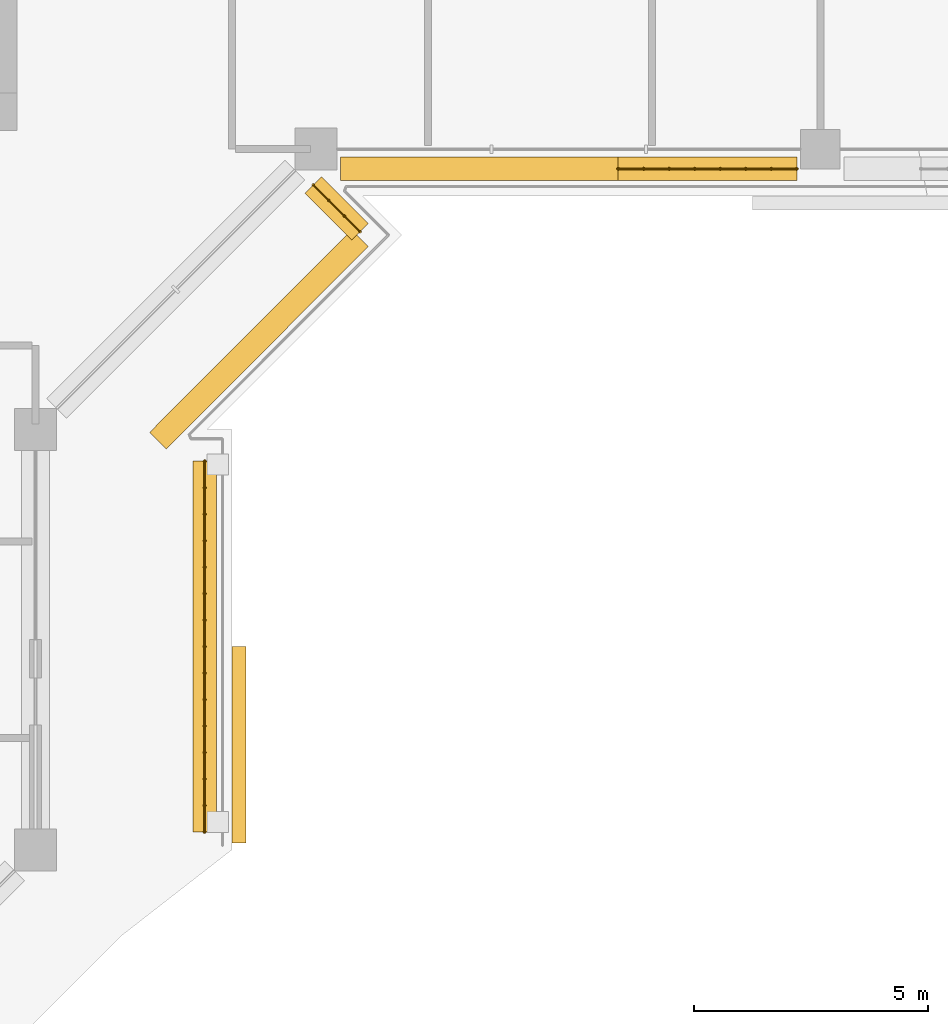
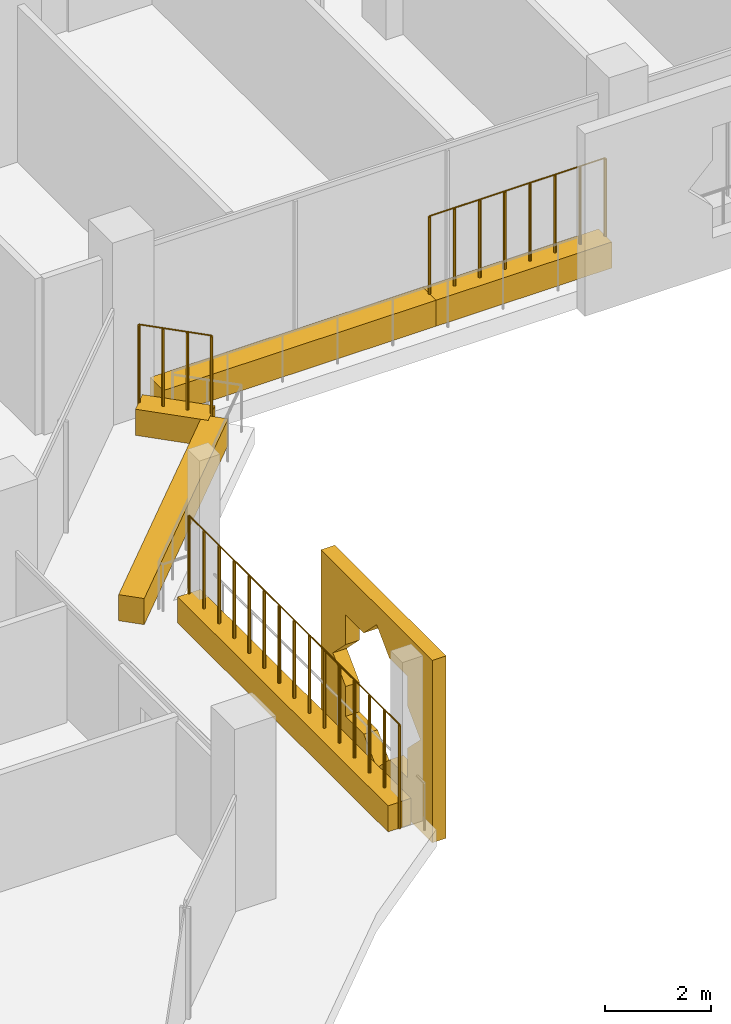
# One storey, part 17 of 22: 6 coverings, 3 railings.
"""IFC4 building model written with IfcOpenShell, lengths in metres."""

from ifc_helpers import new_model, si_unit, direction, frame, origin, origin_2d, place, context, subcontext, project, spatial, polyline, rectangle, circle, outline, extrude, material, material_profile, profile_set, type_object, element, save


model = new_model("IFC4")

# Units and contexts
model_context = context("Model", 3, precision=1e-05, world=origin(), true_north=direction((0.0, 1.0)))
body_context = subcontext(model_context, "Body", "Model", "MODEL_VIEW")
ifc_project = project(units=[si_unit("LENGTHUNIT", "METRE"), si_unit("AREAUNIT", "SQUARE_METRE"), si_unit("VOLUMEUNIT", "CUBIC_METRE"), si_unit("PLANEANGLEUNIT", "RADIAN"), si_unit("MASSUNIT", "GRAM", prefix="KILO")], contexts=[model_context])

# Site, building, storey
site_placement = place(None, origin())
site = spatial("IfcSite", under=ifc_project, at=site_placement, CompositionType="ELEMENT")
building_placement = place(site_placement, origin())
building = spatial("IfcBuilding", under=site, at=building_placement, Name="Kawkab Arch Medical Tower", CompositionType="ELEMENT")
storey_placement = place(building_placement, frame((0.0, 0.0, 251.60009765625)))
storey = spatial("IfcBuildingStorey", under=building, at=storey_placement, Name="L58", CompositionType="ELEMENT", Elevation=251.60009765625)

# Coverings
ifc_material_1 = material(Name="Bronze anodised aluminium mashrabiya panel, eight-point star pattern", Category="aluminium")
ifc_material_profile_1 = material_profile(ifc_material_1, outline(polyline([(-2.10009765625, -2.10009765625), (2.10009765625, -2.10009765625), (2.10009765625, 2.10009765625), (-2.10009765625, 2.10009765625), (-2.10009765625, -2.10009765625)]), holes=[polyline([(1.64990234375, 0.0), (1.166748046875, 0.4833984375), (1.166748046875, 1.166748046875), (0.4833984375, 1.166748046875), (0.0, 1.64990234375), (-0.4833984375, 1.166748046875), (-1.166748046875, 1.166748046875), (-1.166748046875, 0.4833984375), (-1.64990234375, 0.0), (-1.166748046875, -0.4833984375), (-1.166748046875, -1.166748046875), (-0.4833984375, -1.166748046875), (0.0, -1.64990234375), (0.4833984375, -1.166748046875), (1.166748046875, -1.166748046875), (1.166748046875, -0.4833984375), (1.64990234375, 0.0)])]), Name="Mashrabiya panel 4200x4200")
ifc_profile_set_1 = profile_set([ifc_material_profile_1], Name="Bronze anodised aluminium mashrabiya panel, eight-point star pattern")
covering_type_1 = type_object("IfcCoveringType", Name="Mashrabiya panel 4200 x 4200", PredefinedType="USERDEFINED", material=ifc_profile_set_1)
covering_1_placement = place(storey_placement, frame((29.39990234375, -37.94873046875, 1.699951171875), z_axis=(1.0, 0.0, 0.0), x_axis=(0.0, 1.0, 0.0)))
element("IfcCovering", 1, at=covering_1_placement, inside=storey, type_object=covering_type_1, Name="Mashrabiya panel L58.LOG-01-01.11", ObjectType="SCREEN", PredefinedType="USERDEFINED", context=body_context, shape_type="SweptSolid", body=[
    extrude(outline(polyline([(-2.10009765625, -2.10009765625), (2.10009765625, -2.10009765625), (2.10009765625, 2.10009765625), (-2.10009765625, 2.10009765625), (-2.10009765625, -2.10009765625)]), holes=[polyline([(1.64990234375, 0.0), (1.166748046875, 0.4833984375), (1.166748046875, 1.166748046875), (0.4833984375, 1.166748046875), (0.0, 1.64990234375), (-0.4833984375, 1.166748046875), (-1.166748046875, 1.166748046875), (-1.166748046875, 0.4833984375), (-1.64990234375, 0.0), (-1.166748046875, -0.4833984375), (-1.166748046875, -1.166748046875), (-0.4833984375, -1.166748046875), (0.0, -1.64990234375), (0.4833984375, -1.166748046875), (1.166748046875, -1.166748046875), (1.166748046875, -0.4833984375), (1.64990234375, 0.0)])]), origin(), (0.0, 0.0, 1.0), 0.300048828125),
])
ifc_material_2 = material(Name="Planting soil in a precast trough", Category="concrete")
ifc_material_profile_2 = material_profile(ifc_material_2, rectangle(XDim=0.5, YDim=0.60009765625, at=origin_2d()), Name="Trough 500x600")
ifc_profile_set_2 = profile_set([ifc_material_profile_2], Name="Planting soil in a precast trough")
covering_type_2 = type_object("IfcCoveringType", Name="Planter trough 500 x 600", PredefinedType="USERDEFINED", material=ifc_profile_set_2)
covering_2_placement = place(storey_placement, frame((41.4951171875, -25.6201171875, 0.2998046875), z_axis=(-1.0, 0.0, 0.0), x_axis=(0.0, -1.0, 0.0)))
element("IfcCovering", 2, at=covering_2_placement, inside=storey, type_object=covering_type_2, Name="Planter L58.LOG-01-01.35", ObjectType="PLANTER", PredefinedType="USERDEFINED", context=body_context, shape_type="SweptSolid", body=[
    extrude(rectangle(XDim=0.5, YDim=0.60009765625, at=origin_2d()), origin(), (0.0, 0.0, 1.0), 3.8251953125),
])
covering_3_placement = place(storey_placement, frame((37.669921875, -25.6201171875, 0.2998046875), z_axis=(-1.0, 0.0, 0.0), x_axis=(0.0, -1.0, 0.0)))
element("IfcCovering", 3, at=covering_3_placement, inside=storey, type_object=covering_type_2, Name="Planter L58.LOG-01-01.36", ObjectType="PLANTER", PredefinedType="USERDEFINED", context=body_context, shape_type="SweptSolid", body=[
    extrude(rectangle(XDim=0.5, YDim=0.60009765625, at=origin_2d()), origin(), (0.0, 0.0, 1.0), 5.93994140625),
])
covering_4_placement = place(storey_placement, frame((31.14306640625, -25.962890625, 0.2998046875), z_axis=(0.707020805532, -0.707192746389, 0.0), x_axis=(0.707192746389, 0.707020805532, 0.0)))
element("IfcCovering", 4, at=covering_4_placement, inside=storey, type_object=covering_type_2, Name="Planter L58.LOG-01-01.37", ObjectType="PLANTER", PredefinedType="USERDEFINED", context=body_context, shape_type="SweptSolid", body=[
    extrude(rectangle(XDim=0.5, YDim=0.60009765625, at=origin_2d()), origin(), (0.0, 0.0, 1.0), 1.419921875),
])
covering_5_placement = place(storey_placement, frame((32.14697265625, -27.10888671875, 0.2998046875), z_axis=(-0.707007043994, -0.707206504313, 0.0), x_axis=(0.707206504313, -0.707007043994, 0.0)))
element("IfcCovering", 5, at=covering_5_placement, inside=storey, type_object=covering_type_2, Name="Planter L58.LOG-01-01.38", ObjectType="PLANTER", PredefinedType="USERDEFINED", context=body_context, shape_type="SweptSolid", body=[
    extrude(rectangle(XDim=0.5, YDim=0.60009765625, at=origin_2d()), origin(), (0.0, 0.0, 1.0), 6.1201171875),
])
covering_6_placement = place(storey_placement, frame((28.820068359375, -31.8798828125, 0.2998046875), z_axis=(0.0, -1.0, 0.0), x_axis=(1.0, 0.0, 0.0)))
element("IfcCovering", 6, at=covering_6_placement, inside=storey, type_object=covering_type_2, Name="Planter L58.LOG-01-01.39", ObjectType="PLANTER", PredefinedType="USERDEFINED", context=body_context, shape_type="SweptSolid", body=[
    extrude(rectangle(XDim=0.5, YDim=0.60009765625, at=origin_2d()), origin(), (0.0, 0.0, 1.0), 7.93603515625),
])

# Railings
ifc_material_3 = material(Name="Bronze anodised aluminium trellis for climbing plants", Category="aluminium")
railing_type = type_object("IfcRailingType", Name="Planting trellis 2400", PredefinedType="USERDEFINED", material=ifc_material_3)
railing_1_placement = place(storey_placement, frame((41.4951171875, -25.6201171875, 0.0)))
element("IfcRailing", 7, at=railing_1_placement, inside=storey, type_object=railing_type, Name="Planting trellis L58.LOG-01-01.35", ObjectType="TRELLIS", PredefinedType="USERDEFINED", context=body_context, shape_type="SweptSolid", body=[
    extrude(circle(Radius=0.01513671875, at=origin_2d()), frame((0.0, 0.0, 2.384765625), z_axis=(-1.0, 0.0, 0.0), x_axis=(0.0, -1.0, 0.0)), (0.0, 0.0, 1.0), 3.8251953125),
    extrude(circle(Radius=0.030029296875, at=origin_2d()), origin(), (0.0, 0.0, 1.0), 2.369873046875),
    extrude(circle(Radius=0.030029296875, at=origin_2d()), frame((-0.54638671875, 0.0, 0.0)), (0.0, 0.0, 1.0), 2.369873046875),
    extrude(circle(Radius=0.030029296875, at=origin_2d()), frame((-1.093017578125, 0.0, 0.0)), (0.0, 0.0, 1.0), 2.369873046875),
    extrude(circle(Radius=0.030029296875, at=origin_2d()), frame((-1.639404296875, 0.0, 0.0)), (0.0, 0.0, 1.0), 2.369873046875),
    extrude(circle(Radius=0.030029296875, at=origin_2d()), frame((-2.185791015625, 0.0, 0.0)), (0.0, 0.0, 1.0), 2.369873046875),
    extrude(circle(Radius=0.030029296875, at=origin_2d()), frame((-2.732177734375, 0.0, 0.0)), (0.0, 0.0, 1.0), 2.369873046875),
    extrude(circle(Radius=0.030029296875, at=origin_2d()), frame((-3.27880859375, 0.0, 0.0)), (0.0, 0.0, 1.0), 2.369873046875),
    extrude(circle(Radius=0.030029296875, at=origin_2d()), frame((-3.8251953125, 0.0, 0.0)), (0.0, 0.0, 1.0), 2.369873046875),
])
railing_2_placement = place(storey_placement, frame((31.14306640625, -25.962890625, 0.0)))
element("IfcRailing", 8, at=railing_2_placement, inside=storey, type_object=railing_type, Name="Planting trellis L58.LOG-01-01.37", ObjectType="TRELLIS", PredefinedType="USERDEFINED", context=body_context, shape_type="SweptSolid", body=[
    extrude(circle(Radius=0.01513671875, at=origin_2d()), frame((0.0, 0.0, 2.384765625), z_axis=(0.707020805532, -0.707192746389, 0.0), x_axis=(0.707192746389, 0.707020805532, 0.0)), (0.0, 0.0, 1.0), 1.419921875),
    extrude(circle(Radius=0.030029296875, at=origin_2d()), origin(), (0.0, 0.0, 1.0), 2.369873046875),
    extrude(circle(Radius=0.030029296875, at=origin_2d()), frame((0.334716796875, -0.334716796875, 0.0)), (0.0, 0.0, 1.0), 2.369873046875),
    extrude(circle(Radius=0.030029296875, at=origin_2d()), frame((0.669189453125, -0.66943359375, 0.0)), (0.0, 0.0, 1.0), 2.369873046875),
    extrude(circle(Radius=0.030029296875, at=origin_2d()), frame((1.00390625, -1.004150390625, 0.0)), (0.0, 0.0, 1.0), 2.369873046875),
])
railing_3_placement = place(storey_placement, frame((28.820068359375, -31.8798828125, 0.0)))
element("IfcRailing", 9, at=railing_3_placement, inside=storey, type_object=railing_type, Name="Planting trellis L58.LOG-01-01.39", ObjectType="TRELLIS", PredefinedType="USERDEFINED", context=body_context, shape_type="SweptSolid", body=[
    extrude(circle(Radius=0.01513671875, at=origin_2d()), frame((0.0, 0.0, 2.384765625), z_axis=(0.0, -1.0, 0.0), x_axis=(1.0, 0.0, 0.0)), (0.0, 0.0, 1.0), 7.93603515625),
    extrude(circle(Radius=0.030029296875, at=origin_2d()), origin(), (0.0, 0.0, 1.0), 2.369873046875),
    extrude(circle(Radius=0.030029296875, at=origin_2d()), frame((0.0, -0.56689453125, 0.0)), (0.0, 0.0, 1.0), 2.369873046875),
    extrude(circle(Radius=0.030029296875, at=origin_2d()), frame((0.0, -1.1337890625, 0.0)), (0.0, 0.0, 1.0), 2.369873046875),
    extrude(circle(Radius=0.030029296875, at=origin_2d()), frame((0.0, -1.70068359375, 0.0)), (0.0, 0.0, 1.0), 2.369873046875),
    extrude(circle(Radius=0.030029296875, at=origin_2d()), frame((0.0, -2.267333984375, 0.0)), (0.0, 0.0, 1.0), 2.369873046875),
    extrude(circle(Radius=0.030029296875, at=origin_2d()), frame((0.0, -2.834228515625, 0.0)), (0.0, 0.0, 1.0), 2.369873046875),
    extrude(circle(Radius=0.030029296875, at=origin_2d()), frame((0.0, -3.401123046875, 0.0)), (0.0, 0.0, 1.0), 2.369873046875),
    extrude(circle(Radius=0.030029296875, at=origin_2d()), frame((0.0, -3.968017578125, 0.0)), (0.0, 0.0, 1.0), 2.369873046875),
    extrude(circle(Radius=0.030029296875, at=origin_2d()), frame((0.0, -4.534912109375, 0.0)), (0.0, 0.0, 1.0), 2.369873046875),
    extrude(circle(Radius=0.030029296875, at=origin_2d()), frame((0.0, -5.101806640625, 0.0)), (0.0, 0.0, 1.0), 2.369873046875),
    extrude(circle(Radius=0.030029296875, at=origin_2d()), frame((0.0, -5.668701171875, 0.0)), (0.0, 0.0, 1.0), 2.369873046875),
    extrude(circle(Radius=0.030029296875, at=origin_2d()), frame((0.0, -6.2353515625, 0.0)), (0.0, 0.0, 1.0), 2.369873046875),
    extrude(circle(Radius=0.030029296875, at=origin_2d()), frame((0.0, -6.80224609375, 0.0)), (0.0, 0.0, 1.0), 2.369873046875),
    extrude(circle(Radius=0.030029296875, at=origin_2d()), frame((0.0, -7.369140625, 0.0)), (0.0, 0.0, 1.0), 2.369873046875),
    extrude(circle(Radius=0.030029296875, at=origin_2d()), frame((0.0, -7.93603515625, 0.0)), (0.0, 0.0, 1.0), 2.369873046875),
])

save(model, "model.ifc")
